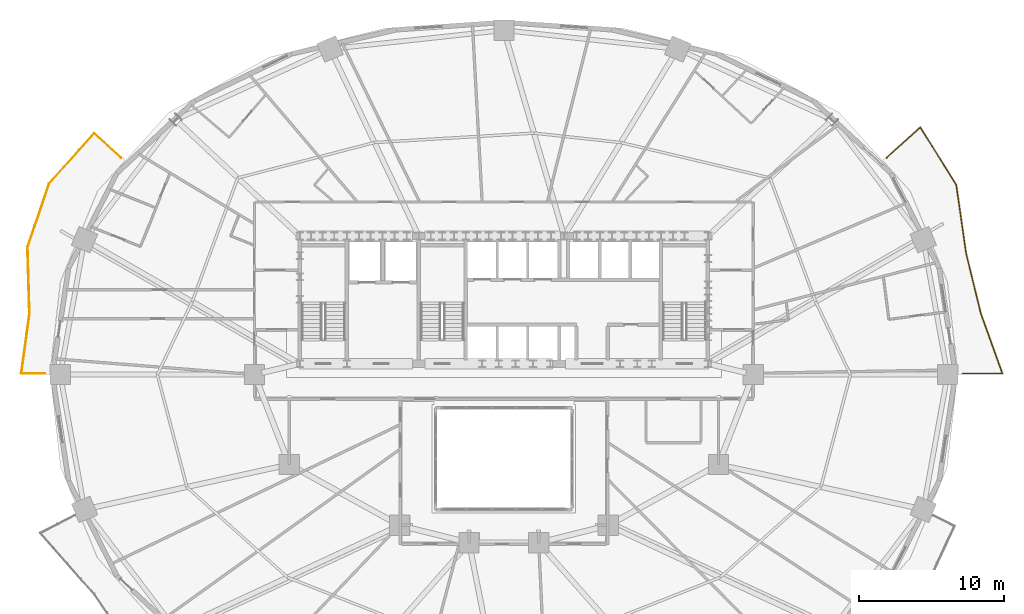
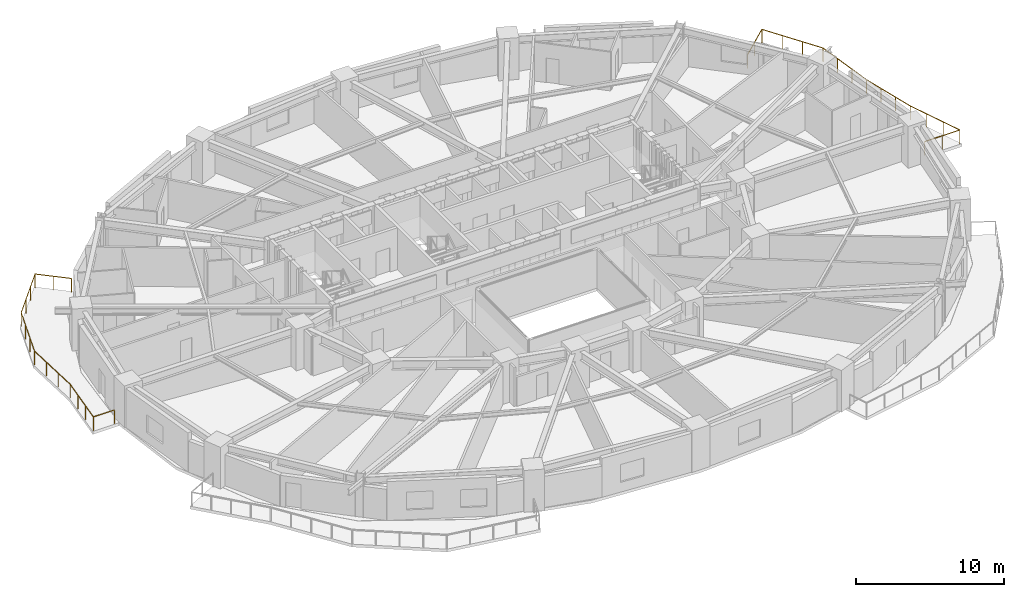
# One storey, part 17 of 17: 2 railings.
"""IFC4 building model written with IfcOpenShell, lengths in metres."""

import ifcopenshell
import ifcopenshell.guid

model = None  # the IFC model being written
_history = None  # IfcOwnerHistory: only IFC2X3 demands one
_inside = {}  # id of a spatial element -> (the spatial element, [elements in it])
_under = {}  # id of a project, library or spatial element -> (it, [spatial elements below it])
_declared = {}  # id of a project -> (the project, [libraries it declares])
_typed = {}  # id of a type object -> (the type object, [elements of that type])
_made_of = {}  # id of a material, layer set ... -> (it, [elements and type objects made of it])


def new_model(schema):
    """Start an empty IFC model of exactly this schema.

    Asked for "IFC4X3", IfcOpenShell would pick the latest addendum, in which some entities
    have other attributes; the version numbers below select the first issue.
    IFC2X3 requires an IfcOwnerHistory on every rooted entity: one is made here for all.
    """
    global model, _history
    if schema == "IFC4X3":
        model = ifcopenshell.file(schema_version=(4, 3, 0, 0))
    else:
        model = ifcopenshell.file(schema=schema)
    _inside.clear()
    _under.clear()
    _declared.clear()
    _typed.clear()
    _made_of.clear()
    _history = None
    if model.schema == "IFC2X3":
        org = make("IfcOrganization", Name="unknown")
        user = make(
            "IfcPersonAndOrganization",
            ThePerson=make("IfcPerson", FamilyName="unknown"),
            TheOrganization=org,
        )
        app = make(
            "IfcApplication",
            ApplicationDeveloper=org,
            Version="unknown",
            ApplicationFullName="unknown",
            ApplicationIdentifier="unknown",
        )
        _history = make(
            "IfcOwnerHistory",
            OwningUser=user,
            OwningApplication=app,
            ChangeAction="ADDED",
            CreationDate=0,
        )
    return model


def make(cls, **values):
    """One entity of the class cls with the attributes given. An attribute that is None is left unset."""
    return model.create_entity(
        cls, **{name: value for name, value in values.items() if value is not None}
    )


def rooted(cls, **values):
    """An entity with a GlobalId (a new one), such as an element, a storey or a relation."""
    return make(cls, GlobalId=ifcopenshell.guid.new(), OwnerHistory=_history, **values)


def si_unit(unit_type, name, prefix=None):
    """IfcSIUnit, for example si_unit("LENGTHUNIT", "METRE", prefix="MILLI")."""
    return make("IfcSIUnit", UnitType=unit_type, Prefix=prefix, Name=name)


def assignment(units):
    """IfcUnitAssignment: the units of a project."""
    return None if units is None else make("IfcUnitAssignment", Units=units)


def point(xyz):
    """IfcCartesianPoint."""
    return None if xyz is None else make("IfcCartesianPoint", Coordinates=xyz)


def direction(xyz):
    """IfcDirection."""
    return None if xyz is None else make("IfcDirection", DirectionRatios=xyz)


def frame(location, z_axis=None, x_axis=None):
    """IfcAxis2Placement3D, a coordinate frame: its origin and axes. An axis left out is left unset."""
    return make(
        "IfcAxis2Placement3D",
        Location=point(location),
        Axis=direction(z_axis),
        RefDirection=direction(x_axis),
    )


def frame_2d(location, x_axis=None):
    """IfcAxis2Placement2D, a coordinate frame in the plane: its origin and x axis."""
    return make(
        "IfcAxis2Placement2D", Location=point(location), RefDirection=direction(x_axis)
    )


def origin():
    """The frame at (0, 0, 0) with its axes left unset."""
    return frame((0.0, 0.0, 0.0))


def origin_2d():
    """The frame at (0, 0) in the plane with its x axis left unset."""
    return frame_2d((0.0, 0.0))


def place(relative_to, where):
    """IfcLocalPlacement: puts the frame where relative to a parent placement (None: the world)."""
    return make(
        "IfcLocalPlacement", PlacementRelTo=relative_to, RelativePlacement=where
    )


def context(
    kind, dimensions, precision=None, world=None, true_north=None, identifier=None
):
    """IfcGeometricRepresentationContext, for example the 3D "Model" context."""
    return make(
        "IfcGeometricRepresentationContext",
        ContextIdentifier=identifier,
        ContextType=kind,
        CoordinateSpaceDimension=dimensions,
        Precision=precision,
        WorldCoordinateSystem=world,
        TrueNorth=true_north,
    )


def subcontext(parent, identifier, kind, view, scale=None):
    """IfcGeometricRepresentationSubContext, for example "Body" below "Model"."""
    return make(
        "IfcGeometricRepresentationSubContext",
        ContextIdentifier=identifier,
        ContextType=kind,
        ParentContext=parent,
        TargetScale=scale,
        TargetView=view,
    )


def project(units=None, contexts=None):
    """IfcProject with its units and contexts."""
    return rooted(
        "IfcProject",
        Name="project",
        RepresentationContexts=contexts,
        UnitsInContext=assignment(units),
    )


def spatial(cls, under=None, at=None, **own):
    """A site, building, storey or space (cls), placed at a placement, below another one or the project."""
    s = rooted(cls, ObjectPlacement=at, **own)
    if under is not None:
        _under.setdefault(under.id(), (under, []))[1].append(s)
    return s


def profile(cls, at=None, kind="AREA", **sizes):
    """A parametric profile (cls). Its sizes go by their IFC names, for example OverallWidth=200.0."""
    return make(cls, ProfileType=kind, Position=at, **sizes)


def rectangle(**sizes):
    """IfcRectangleProfileDef."""
    return profile("IfcRectangleProfileDef", **sizes)


def extrude(swept, where, along, depth):
    """IfcExtrudedAreaSolid: the profile swept, set in the frame where, extruded along a direction by depth."""
    return make(
        "IfcExtrudedAreaSolid",
        SweptArea=swept,
        Position=where,
        ExtrudedDirection=direction(along),
        Depth=depth,
    )


def shape(context_of_items, identifier, shape_type, items):
    """IfcShapeRepresentation: the items that make up one representation, for example the "Body"."""
    return make(
        "IfcShapeRepresentation",
        ContextOfItems=context_of_items,
        RepresentationIdentifier=identifier,
        RepresentationType=shape_type,
        Items=items,
    )


def material(Name=None, Category=None):
    """IfcMaterial."""
    return make("IfcMaterial", Name=Name, Category=Category)


def made_of(thing, what):
    """Note that an element or type object is made of a material, layer set ...; save() writes the relation."""
    if what is not None:
        _made_of.setdefault(what.id(), (what, []))[1].append(thing)
    return thing


def type_object(cls, material=None, **own):
    """A type object (cls), such as IfcWallType, which elements share."""
    return made_of(rooted(cls, **own), material)


def element(
    cls,
    number,
    at=None,
    inside=None,
    cuts=None,
    type_object=None,
    material=None,
    context=None,
    identifier="Body",
    shape_type=None,
    held_by="IfcProductDefinitionShape",
    body=None,
    shapes=None,
    **own,
):
    """One element of the class cls, such as IfcWall. Its Tag is "e" and its number.

    at: its placement. inside: the storey or other place that contains it. cuts: it is an
    opening in that element (IfcRelVoidsElement). A single representation is given by context,
    identifier, shape_type and body (its items); several are given by shapes. held_by: the class
    of the entity that holds the representations. save() writes the other relations.
    """
    e = rooted(cls, Tag="e%d" % number, ObjectPlacement=at, **own)
    if body is not None:
        shapes = [shape(context, identifier, shape_type, body)]
    if shapes is not None:
        e.Representation = make(held_by, Representations=shapes)
    if inside is not None:
        _inside.setdefault(inside.id(), (inside, []))[1].append(e)
    if cuts is not None:
        rooted(
            "IfcRelVoidsElement", RelatingBuildingElement=cuts, RelatedOpeningElement=e
        )
    if type_object is not None:
        _typed.setdefault(type_object.id(), (type_object, []))[1].append(e)
    return made_of(e, material)


def aggregate(whole, parts):
    """IfcRelAggregates: a whole, such as a stair, and the parts it consists of."""
    return rooted("IfcRelAggregates", RelatingObject=whole, RelatedObjects=parts)


def save(model, path):
    """Write the relations noted so far, then the file.

    IfcRelAggregates (storeys below a building ...), IfcRelContainedInSpatialStructure (elements
    in a storey), IfcRelDefinesByType, IfcRelAssociatesMaterial and IfcRelDeclares: one each for
    every whole, place, type object, material and project.
    """
    for whole, parts in _under.values():
        aggregate(whole, parts)
    for where, things in _inside.values():
        rooted(
            "IfcRelContainedInSpatialStructure",
            RelatedElements=things,
            RelatingStructure=where,
        )
    for kind, things in _typed.values():
        rooted("IfcRelDefinesByType", RelatedObjects=things, RelatingType=kind)
    for what, things in _made_of.values():
        rooted("IfcRelAssociatesMaterial", RelatedObjects=things, RelatingMaterial=what)
    for by, libraries in _declared.values():
        rooted("IfcRelDeclares", RelatingContext=by, RelatedDefinitions=libraries)
    model.write(path)


model = new_model("IFC4")

# Units and contexts
model_context = context("Model", 3, precision=1e-05, world=origin(), true_north=direction((0.0, 1.0)))
body_context = subcontext(model_context, "Body", "Model", "MODEL_VIEW")
ifc_project = project(units=[si_unit("LENGTHUNIT", "METRE"), si_unit("AREAUNIT", "SQUARE_METRE"), si_unit("VOLUMEUNIT", "CUBIC_METRE"), si_unit("PLANEANGLEUNIT", "RADIAN"), si_unit("MASSUNIT", "GRAM", prefix="KILO")], contexts=[model_context])

# Site, building, storey
site_placement = place(None, origin())
site = spatial("IfcSite", under=ifc_project, at=site_placement, CompositionType="ELEMENT")
building_placement = place(site_placement, origin())
building = spatial("IfcBuilding", under=site, at=building_placement, Name="Haldorwick Loom Tower", CompositionType="ELEMENT")
storey_placement = place(building_placement, frame((0.0, 0.0, 30.89990234375)))
storey = spatial("IfcBuildingStorey", under=building, at=storey_placement, Name="L07", CompositionType="ELEMENT", Elevation=30.89990234375)

# Railings
ifc_material = material(Name="Galvanized Steel CSA G40.21 350W", Category="steel")
railing_type = type_object("IfcRailingType", Name="ARC-RLG-BAL115", PredefinedType="BALUSTRADE", material=ifc_material)
railing_1_placement = place(storey_placement, frame((4.36083984375, 26.080078125, 0.0)))
element("IfcRailing", 1, at=railing_1_placement, inside=storey, type_object=railing_type, Name="L07 Outdoor Terrace Guardrail SLB-L07-BAL_WNW-1", PredefinedType="BALUSTRADE", context=body_context, shape_type="SweptSolid", body=[
    extrude(rectangle(XDim=0.048095703125, YDim=0.048095703125, at=origin_2d()), frame((0.0, 0.0, 1.1259765625), z_axis=(-1.0, 0.0, 0.0), x_axis=(0.0, -1.0, 0.0)), (0.0, 0.0, 1.0), 1.63671875),
    extrude(rectangle(XDim=0.048095703125, YDim=0.048095703125, at=origin_2d()), frame((-1.63671875, 0.0, 1.1259765625), z_axis=(0.136057133851, 0.990700992393, 0.0), x_axis=(-0.990700992393, 0.136057133851, 0.0)), (0.0, 0.0, 1.0), 4.143310546875),
    extrude(rectangle(XDim=0.048095703125, YDim=0.048095703125, at=origin_2d()), frame((-1.072998046875, 4.104736328125, 1.1259765625), z_axis=(0.073871685515, 0.997267754457, 0.0), x_axis=(-0.997267754457, 0.073871685515, 0.0)), (0.0, 0.0, 1.0), 0.006591796875),
    extrude(rectangle(XDim=0.048095703125, YDim=0.048095703125, at=origin_2d()), frame((-1.072509765625, 4.111328125, 1.1259765625), z_axis=(0.03701166051, 0.999314833767, 0.0), x_axis=(-0.999314833767, 0.03701166051, 0.0)), (0.0, 0.0, 1.0), 0.006591796875),
    extrude(rectangle(XDim=0.048095703125, YDim=0.048095703125, at=origin_2d()), frame((-1.072265625, 4.117919921875, 1.1259765625), z_axis=(-0.029323982947, 0.999569959545, 0.0), x_axis=(-0.999569959545, -0.029323982947, 0.0)), (0.0, 0.0, 1.0), 4.58740234375),
    extrude(rectangle(XDim=0.048095703125, YDim=0.048095703125, at=origin_2d()), frame((-1.206787109375, 8.703369140625, 1.1259765625), z_axis=(0.32182984281, 0.946797524435, 0.0), x_axis=(-0.946797524435, 0.32182984281, 0.0)), (0.0, 0.0, 1.0), 4.623779296875),
    extrude(rectangle(XDim=0.048095703125, YDim=0.048095703125, at=origin_2d()), frame((0.28125, 13.0810546875, 1.1259765625), z_axis=(0.664640925369, 0.747162927563, 0.0), x_axis=(-0.747162927563, 0.664640925369, 0.0)), (0.0, 0.0, 1.0), 4.647705078125),
    extrude(rectangle(XDim=0.048095703125, YDim=0.048095703125, at=origin_2d()), frame((3.370361328125, 16.5537109375, 1.1259765625), z_axis=(0.74353574083, -0.668696195674, 0.0), x_axis=(0.668696195674, 0.74353574083, 0.0)), (0.0, 0.0, 1.0), 2.511962890625),
    extrude(rectangle(XDim=0.0419921875, YDim=0.0419921875, at=origin_2d()), origin(), (0.0, 0.0, 1.0), 1.101806640625),
    extrude(rectangle(XDim=0.0419921875, YDim=0.0419921875, at=origin_2d()), frame((-1.63671875, 0.0, 0.0)), (0.0, 0.0, 1.0), 1.101806640625),
    extrude(rectangle(XDim=0.0419921875, YDim=0.0419921875, at=origin_2d()), frame((-1.44873046875, 1.3681640625, 0.0)), (0.0, 0.0, 1.0), 1.101806640625),
    extrude(rectangle(XDim=0.0419921875, YDim=0.0419921875, at=origin_2d()), frame((-1.260986328125, 2.736572265625, 0.0)), (0.0, 0.0, 1.0), 1.101806640625),
    extrude(rectangle(XDim=0.0419921875, YDim=0.0419921875, at=origin_2d()), frame((-1.072998046875, 4.104736328125, 0.0)), (0.0, 0.0, 1.0), 1.101806640625),
    extrude(rectangle(XDim=0.0419921875, YDim=0.0419921875, at=origin_2d()), frame((-1.1171875, 5.646484375, 0.0)), (0.0, 0.0, 1.0), 1.101806640625),
    extrude(rectangle(XDim=0.0419921875, YDim=0.0419921875, at=origin_2d()), frame((-1.161865234375, 7.1748046875, 0.0)), (0.0, 0.0, 1.0), 1.101806640625),
    extrude(rectangle(XDim=0.0419921875, YDim=0.0419921875, at=origin_2d()), frame((-1.206787109375, 8.703369140625, 0.0)), (0.0, 0.0, 1.0), 1.101806640625),
    extrude(rectangle(XDim=0.0419921875, YDim=0.0419921875, at=origin_2d()), frame((-0.710693359375, 10.16259765625, 0.0)), (0.0, 0.0, 1.0), 1.101806640625),
    extrude(rectangle(XDim=0.0419921875, YDim=0.0419921875, at=origin_2d()), frame((-0.21484375, 11.621826171875, 0.0)), (0.0, 0.0, 1.0), 1.101806640625),
    extrude(rectangle(XDim=0.0419921875, YDim=0.0419921875, at=origin_2d()), frame((0.28125, 13.0810546875, 0.0)), (0.0, 0.0, 1.0), 1.101806640625),
    extrude(rectangle(XDim=0.0419921875, YDim=0.0419921875, at=origin_2d()), frame((1.31103515625, 14.238525390625, 0.0)), (0.0, 0.0, 1.0), 1.101806640625),
    extrude(rectangle(XDim=0.0419921875, YDim=0.0419921875, at=origin_2d()), frame((2.340576171875, 15.396240234375, 0.0)), (0.0, 0.0, 1.0), 1.101806640625),
    extrude(rectangle(XDim=0.0419921875, YDim=0.0419921875, at=origin_2d()), frame((3.370361328125, 16.5537109375, 0.0)), (0.0, 0.0, 1.0), 1.101806640625),
    extrude(rectangle(XDim=0.0419921875, YDim=0.0419921875, at=origin_2d()), frame((4.30419921875, 15.7138671875, 0.0)), (0.0, 0.0, 1.0), 1.101806640625),
    extrude(rectangle(XDim=0.0419921875, YDim=0.0419921875, at=origin_2d()), frame((5.238037109375, 14.8740234375, 0.0)), (0.0, 0.0, 1.0), 1.101806640625),
])
railing_2_placement = place(storey_placement, frame((62.400390625, 40.955078125, 0.0)))
element("IfcRailing", 2, at=railing_2_placement, inside=storey, type_object=railing_type, Name="L07 Outdoor Terrace Guardrail SLB-L07-BAL_ENE-1", PredefinedType="BALUSTRADE", context=body_context, shape_type="SweptSolid", body=[
    extrude(rectangle(XDim=0.048095703125, YDim=0.048095703125, at=origin_2d()), frame((0.0, 0.0, 1.1259765625), z_axis=(0.741624845673, 0.670814868858, 0.0), x_axis=(-0.670814868858, 0.741624845673, 0.0)), (0.0, 0.0, 1.0), 3.116943359375),
    extrude(rectangle(XDim=0.048095703125, YDim=0.048095703125, at=origin_2d()), frame((2.3115234375, 2.0908203125, 1.1259765625), z_axis=(0.529563321948, -0.848270409744, 0.0), x_axis=(0.848270409744, 0.529563321948, 0.0)), (0.0, 0.0, 1.0), 4.685791015625),
    extrude(rectangle(XDim=0.048095703125, YDim=0.048095703125, at=origin_2d()), frame((4.79296875, -1.884033203125, 1.1259765625), z_axis=(0.14191859397, -0.989878332264, 0.0), x_axis=(0.989878332264, 0.14191859397, 0.0)), (0.0, 0.0, 1.0), 4.742919921875),
    extrude(rectangle(XDim=0.048095703125, YDim=0.048095703125, at=origin_2d()), frame((5.466064453125, -6.578857421875, 1.1259765625), z_axis=(0.190021906566, -0.98177985059, 0.0), x_axis=(0.98177985059, 0.190021906566, 0.0)), (0.0, 0.0, 1.0), 0.0078125),
    extrude(rectangle(XDim=0.048095703125, YDim=0.048095703125, at=origin_2d()), frame((5.467529296875, -6.58642578125, 1.1259765625), z_axis=(0.237633699165, -0.971354839912, 0.0), x_axis=(0.971354839912, 0.237633699165, 0.0)), (0.0, 0.0, 1.0), 4.280029296875),
    extrude(rectangle(XDim=0.048095703125, YDim=0.048095703125, at=origin_2d()), frame((6.484619140625, -10.743896484375, 1.1259765625), z_axis=(0.290007395283, -0.957024404433, 0.0), x_axis=(0.957024404433, 0.290007395283, 0.0)), (0.0, 0.0, 1.0), 0.00830078125),
    extrude(rectangle(XDim=0.048095703125, YDim=0.048095703125, at=origin_2d()), frame((6.487060546875, -10.751953125, 1.1259765625), z_axis=(0.338488613886, -0.940970487459, 0.0), x_axis=(0.940970487459, 0.338488613886, 0.0)), (0.0, 0.0, 1.0), 4.381591796875),
    extrude(rectangle(XDim=0.048095703125, YDim=0.048095703125, at=origin_2d()), frame((7.97021484375, -14.875, 1.1259765625), z_axis=(-1.0, 0.0, 0.0), x_axis=(0.0, -1.0, 0.0)), (0.0, 0.0, 1.0), 2.7314453125),
    extrude(rectangle(XDim=0.0419921875, YDim=0.0419921875, at=origin_2d()), origin(), (0.0, 0.0, 1.0), 1.101806640625),
    extrude(rectangle(XDim=0.0419921875, YDim=0.0419921875, at=origin_2d()), frame((1.15576171875, 1.04541015625, 0.0)), (0.0, 0.0, 1.0), 1.101806640625),
    extrude(rectangle(XDim=0.0419921875, YDim=0.0419921875, at=origin_2d()), frame((2.3115234375, 2.0908203125, 0.0)), (0.0, 0.0, 1.0), 1.101806640625),
    extrude(rectangle(XDim=0.0419921875, YDim=0.0419921875, at=origin_2d()), frame((3.138671875, 0.765869140625, 0.0)), (0.0, 0.0, 1.0), 1.101806640625),
    extrude(rectangle(XDim=0.0419921875, YDim=0.0419921875, at=origin_2d()), frame((3.9658203125, -0.55908203125, 0.0)), (0.0, 0.0, 1.0), 1.101806640625),
    extrude(rectangle(XDim=0.0419921875, YDim=0.0419921875, at=origin_2d()), frame((4.79296875, -1.884033203125, 0.0)), (0.0, 0.0, 1.0), 1.101806640625),
    extrude(rectangle(XDim=0.0419921875, YDim=0.0419921875, at=origin_2d()), frame((5.017333984375, -3.448974609375, 0.0)), (0.0, 0.0, 1.0), 1.101806640625),
    extrude(rectangle(XDim=0.0419921875, YDim=0.0419921875, at=origin_2d()), frame((5.24169921875, -5.013916015625, 0.0)), (0.0, 0.0, 1.0), 1.101806640625),
    extrude(rectangle(XDim=0.0419921875, YDim=0.0419921875, at=origin_2d()), frame((5.466064453125, -6.578857421875, 0.0)), (0.0, 0.0, 1.0), 1.101806640625),
    extrude(rectangle(XDim=0.0419921875, YDim=0.0419921875, at=origin_2d()), frame((5.806640625, -7.97216796875, 0.0)), (0.0, 0.0, 1.0), 1.101806640625),
    extrude(rectangle(XDim=0.0419921875, YDim=0.0419921875, at=origin_2d()), frame((6.1455078125, -9.358154296875, 0.0)), (0.0, 0.0, 1.0), 1.101806640625),
    extrude(rectangle(XDim=0.0419921875, YDim=0.0419921875, at=origin_2d()), frame((6.484619140625, -10.743896484375, 0.0)), (0.0, 0.0, 1.0), 1.101806640625),
    extrude(rectangle(XDim=0.0419921875, YDim=0.0419921875, at=origin_2d()), frame((6.9814453125, -12.126220703125, 0.0)), (0.0, 0.0, 1.0), 1.101806640625),
    extrude(rectangle(XDim=0.0419921875, YDim=0.0419921875, at=origin_2d()), frame((7.475830078125, -13.500732421875, 0.0)), (0.0, 0.0, 1.0), 1.101806640625),
    extrude(rectangle(XDim=0.0419921875, YDim=0.0419921875, at=origin_2d()), frame((7.97021484375, -14.875, 0.0)), (0.0, 0.0, 1.0), 1.101806640625),
    extrude(rectangle(XDim=0.0419921875, YDim=0.0419921875, at=origin_2d()), frame((6.6044921875, -14.875, 0.0)), (0.0, 0.0, 1.0), 1.101806640625),
    extrude(rectangle(XDim=0.0419921875, YDim=0.0419921875, at=origin_2d()), frame((5.23876953125, -14.875, 0.0)), (0.0, 0.0, 1.0), 1.101806640625),
])

save(model, "model.ifc")
